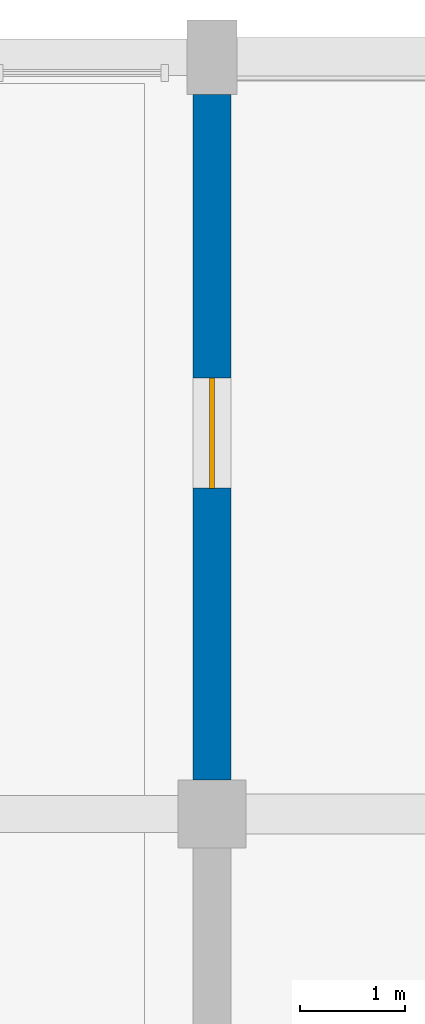
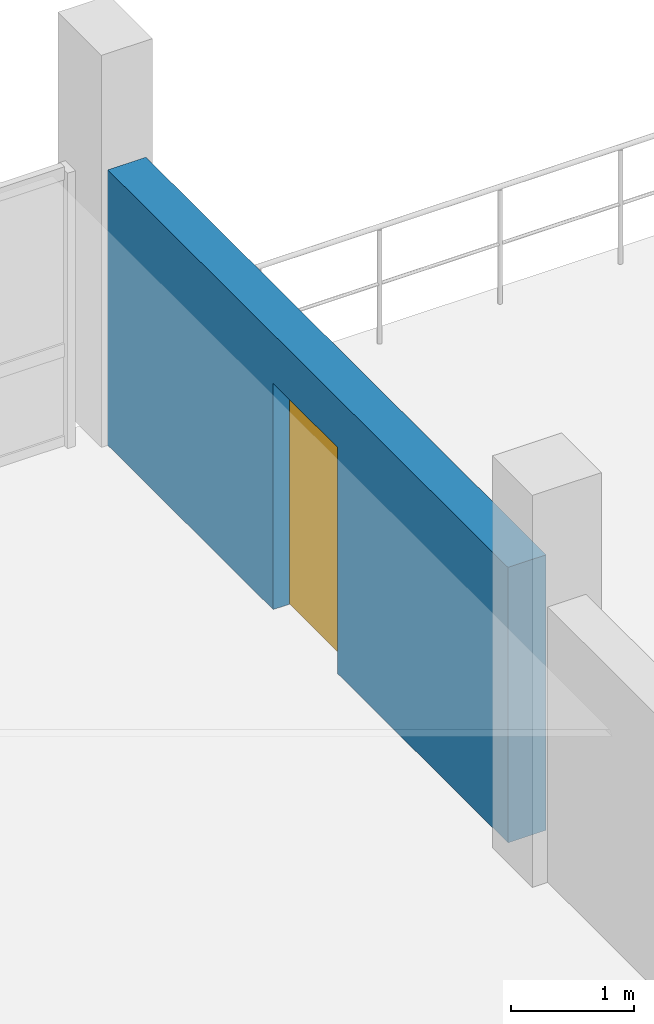
# One storey, part 9 of 10: 1 door, 1 wall, 1 opening.
"""IFC4 building model written with IfcOpenShell, lengths in metres."""

from ifc_helpers import new_model, si_unit, direction, frame, frame_2d, origin, place, context, subcontext, project, spatial, rectangle, extrude, material, layer, layer_set, type_object, element, fill, save


model = new_model("IFC4")

# Units and contexts
model_context = context("Model", 3, precision=1e-05, world=origin(), true_north=direction((0.0, 1.0)))
body_context = subcontext(model_context, "Body", "Model", "MODEL_VIEW")
ifc_project = project(units=[si_unit("LENGTHUNIT", "METRE"), si_unit("AREAUNIT", "SQUARE_METRE"), si_unit("VOLUMEUNIT", "CUBIC_METRE"), si_unit("PLANEANGLEUNIT", "RADIAN"), si_unit("MASSUNIT", "GRAM", prefix="KILO")], contexts=[model_context])

# Site, building, storey
site_placement = place(None, origin())
site = spatial("IfcSite", under=ifc_project, at=site_placement, CompositionType="ELEMENT")
building_placement = place(site_placement, origin())
building = spatial("IfcBuilding", under=site, at=building_placement, Name="Qiaolan Assembly House", CompositionType="ELEMENT")
storey_placement = place(building_placement, frame((0.0, 0.0, 30.300048828125)))
storey = spatial("IfcBuildingStorey", under=building, at=storey_placement, Name="L07", CompositionType="ELEMENT", Elevation=30.300048828125)

# Wall, opening, door
ifc_material_1 = material(Name="Honed pale limestone", Category="masonry")
ifc_layer = layer(ifc_material_1, 0.360107421875)
ifc_layer_set = layer_set([ifc_layer], Name="Honed pale limestone")
wall_type = type_object("IfcWallType", Name="WAL-EXT-LIMESTONE-360", PredefinedType="SOLIDWALL", material=ifc_layer_set)
wall_placement = place(storey_placement, frame((93.60009765625, 114.846923828125, 0.0), z_axis=(0.0, 0.0, 1.0), x_axis=(0.0, -1.0, 0.0)))
wall = element("IfcWall", 1, at=wall_placement, inside=storey, type_object=wall_type, Name="L07 Attic East terrace wall 3", PredefinedType="SOLIDWALL", context=body_context, shape_type="SweptSolid", body=[
    extrude(rectangle(XDim=6.52392578125, YDim=0.360107421875, at=frame_2d((3.261962890625, 0.0))), origin(), (0.0, 0.0, 1.0), 2.739990234375),
])
opening_placement = place(wall_placement, frame((2.697021484375, 0.0, 0.0)))
opening = element("IfcOpeningElement", 2, at=opening_placement, cuts=wall, Name="Opening TD-010", PredefinedType="OPENING", context=body_context, shape_type="SweptSolid", body=[
    extrude(rectangle(XDim=1.050048828125, YDim=2.25, at=frame_2d((0.52490234375, 1.125))), frame((0.0, 0.18994140625, 0.0), z_axis=(0.0, -1.0, 0.0), x_axis=(1.0, 0.0, 0.0)), (0.0, 0.0, 1.0), 0.380126953125),
])
ifc_material_2 = material(Name="Anodised bronze aluminium", Category="aluminium")
door_type = type_object("IfcDoorType", Name="DOR-TERR-SGL-1050", OperationType="NOTDEFINED", PredefinedType="DOOR", material=ifc_material_2)
door_placement = place(opening_placement, frame((1.050048828125, 0.0, 0.0), z_axis=(0.0, 0.0, 1.0), x_axis=(-1.0, 0.0, 0.0)))
door = element("IfcDoor", 3, at=door_placement, inside=storey, type_object=door_type, Name="L07 East Terrace door TD-010", OperationType="SINGLE_SWING_LEFT", OverallHeight=2.25, OverallWidth=1.050048828125, PredefinedType="DOOR", context=body_context, shape_type="SweptSolid", body=[
    extrude(rectangle(XDim=1.050048828125, YDim=2.25, at=frame_2d((0.52490234375, 1.125))), frame((0.0, 0.02490234375, 0.0), z_axis=(0.0, -1.0, 0.0), x_axis=(1.0, 0.0, 0.0)), (0.0, 0.0, 1.0), 0.050048828125),
])
fill(opening, door)

save(model, "model.ifc")
